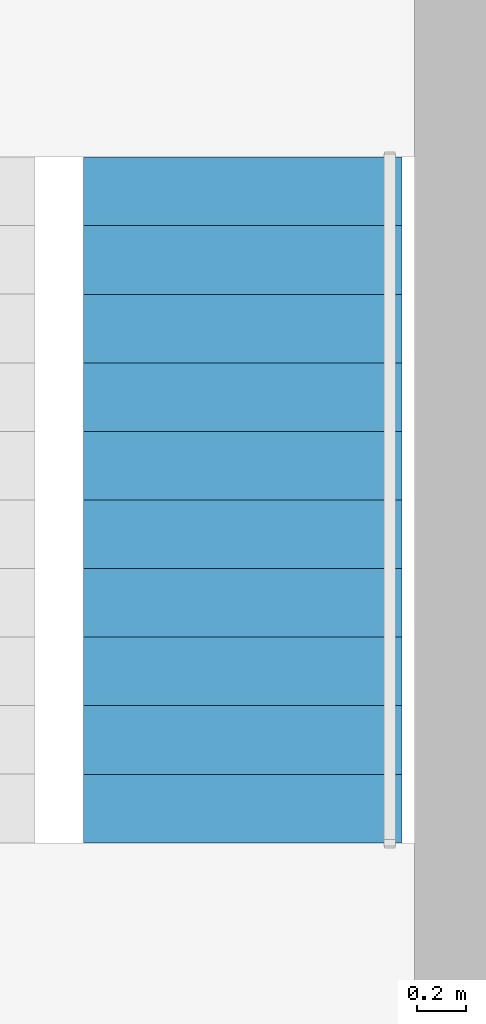
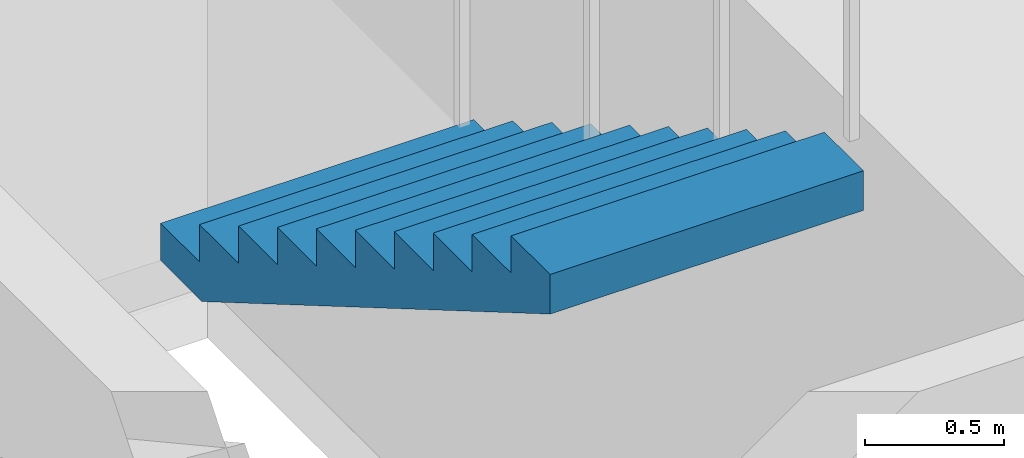
# One storey, part 14 of 15: 1 stair flight, 1 element without a shape of its own.
"""IFC4 building model written with IfcOpenShell, lengths in metres."""

from ifc_helpers import new_model, si_unit, direction, frame, origin, place, context, subcontext, project, spatial, polyline, outline, extrude, material, type_object, element, aggregate, save


model = new_model("IFC4")

# Units and contexts
model_context = context("Model", 3, precision=1e-05, world=origin(), true_north=direction((0.0, 1.0)))
body_context = subcontext(model_context, "Body", "Model", "MODEL_VIEW")
ifc_project = project(units=[si_unit("LENGTHUNIT", "METRE"), si_unit("AREAUNIT", "SQUARE_METRE"), si_unit("VOLUMEUNIT", "CUBIC_METRE"), si_unit("PLANEANGLEUNIT", "RADIAN"), si_unit("MASSUNIT", "GRAM", prefix="KILO")], contexts=[model_context])

# Site, building, storey
site_placement = place(None, origin())
site = spatial("IfcSite", under=ifc_project, at=site_placement, CompositionType="ELEMENT")
building_placement = place(site_placement, origin())
building = spatial("IfcBuilding", under=site, at=building_placement, Name="Nyansa Garden Tower", CompositionType="ELEMENT")
storey_placement = place(building_placement, frame((0.0, 0.0, 25.199951171875)))
storey = spatial("IfcBuildingStorey", under=building, at=storey_placement, Name="L06", CompositionType="ELEMENT", Elevation=25.199951171875)

# Stair, stair flight
ifc_material_1 = material(Name="Precast concrete C40/50", Category="concrete")
stair_type = type_object("IfcStairType", Name="Stair S2 164x280", PredefinedType="HALF_TURN_STAIR", material=ifc_material_1)
stair_placement = place(storey_placement, origin())
stair = element("IfcStair", 1, at=stair_placement, inside=storey, type_object=stair_type, Name="Stair S2 L06", PredefinedType="HALF_TURN_STAIR")
ifc_material_2 = material(Name="Precast concrete C40/50", Category="concrete")
stair_flight_type = type_object("IfcStairFlightType", Name="Stair flight S2 164x280x11", PredefinedType="STRAIGHT", material=ifc_material_2)
stair_flight_placement = place(storey_placement, frame((25.699951171875, 24.39990234375, 1.800048828125), z_axis=(0.0, 0.0, 1.0), x_axis=(0.0, -1.0, 0.0)))
stair_flight = element("IfcStairFlight", 2, at=stair_flight_placement, type_object=stair_flight_type, Name="S2 flight 2", NumberOfRisers=11, NumberOfTreads=10, PredefinedType="STRAIGHT", RiserHeight=0.163636364, TreadLength=0.28, context=body_context, shape_type="SweptSolid", body=[
    extrude(outline(polyline([(0.0, 0.0), (0.0, 0.16357421875), (0.280029296875, 0.16357421875), (0.280029296875, 0.327392578125), (0.56005859375, 0.327392578125), (0.56005859375, 0.490966796875), (0.840087890625, 0.490966796875), (0.840087890625, 0.654541015625), (1.1201171875, 0.654541015625), (1.1201171875, 0.818115234375), (1.39990234375, 0.818115234375), (1.39990234375, 0.98193359375), (1.679931640625, 0.98193359375), (1.679931640625, 1.1455078125), (1.9599609375, 1.1455078125), (1.9599609375, 1.30908203125), (2.239990234375, 1.30908203125), (2.239990234375, 1.47265625), (2.52001953125, 1.47265625), (2.52001953125, 1.636474609375), (2.800048828125, 1.636474609375), (2.800048828125, 1.800048828125), (2.800048828125, 1.462646484375), (0.297119140625, 0.0), (0.0, 0.0)])), frame((0.0, 0.64990234375, 0.0), z_axis=(0.0, -1.0, 0.0), x_axis=(1.0, 0.0, 0.0)), (0.0, 0.0, 1.0), 1.300048828125),
])
aggregate(stair, [stair_flight])

save(model, "model.ifc")
